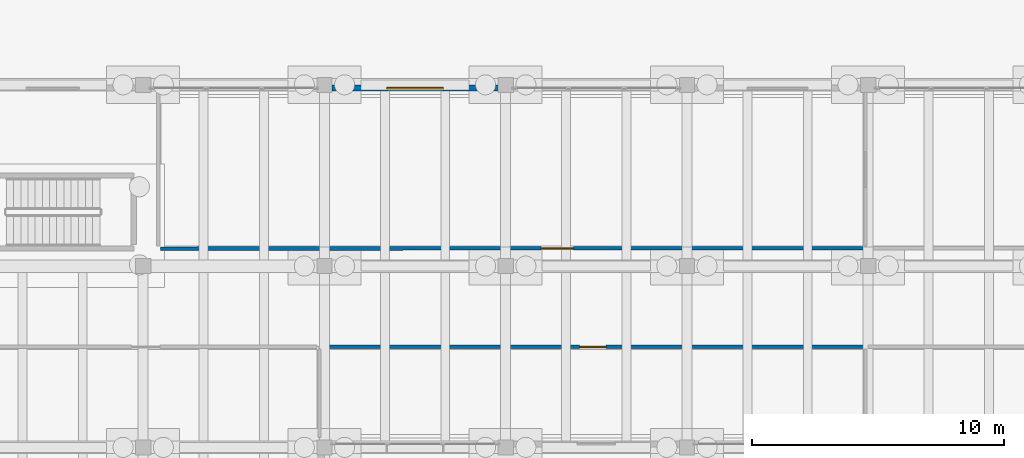
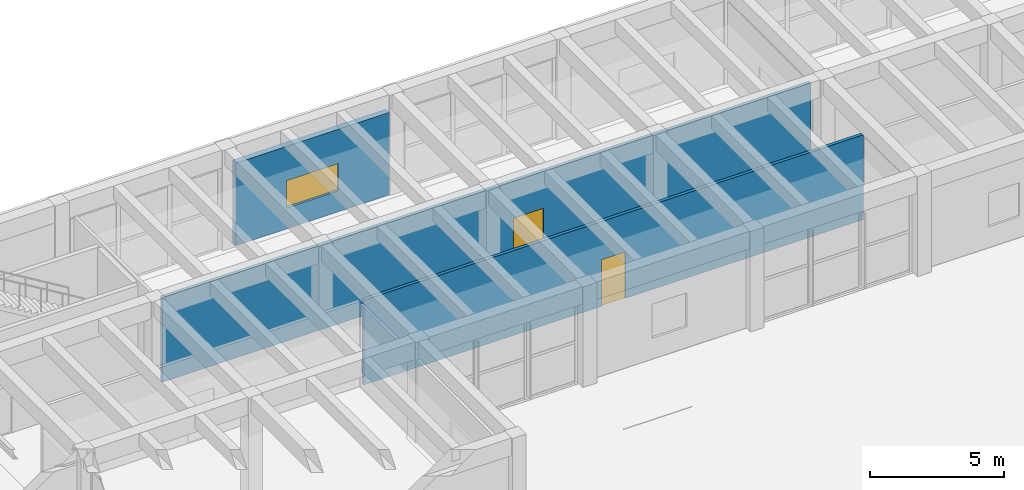
# One storey, part 121 of 155: 3 walls, 2 doors, 1 window, 3 openings.
"""IFC4 building model written with IfcOpenShell, lengths in metres."""

import ifcopenshell
import ifcopenshell.guid

model = None  # the IFC model being written
_history = None  # IfcOwnerHistory: only IFC2X3 demands one
_inside = {}  # id of a spatial element -> (the spatial element, [elements in it])
_under = {}  # id of a project, library or spatial element -> (it, [spatial elements below it])
_declared = {}  # id of a project -> (the project, [libraries it declares])
_typed = {}  # id of a type object -> (the type object, [elements of that type])
_made_of = {}  # id of a material, layer set ... -> (it, [elements and type objects made of it])


def new_model(schema):
    """Start an empty IFC model of exactly this schema.

    Asked for "IFC4X3", IfcOpenShell would pick the latest addendum, in which some entities
    have other attributes; the version numbers below select the first issue.
    IFC2X3 requires an IfcOwnerHistory on every rooted entity: one is made here for all.
    """
    global model, _history
    if schema == "IFC4X3":
        model = ifcopenshell.file(schema_version=(4, 3, 0, 0))
    else:
        model = ifcopenshell.file(schema=schema)
    _inside.clear()
    _under.clear()
    _declared.clear()
    _typed.clear()
    _made_of.clear()
    _history = None
    if model.schema == "IFC2X3":
        org = make("IfcOrganization", Name="unknown")
        user = make(
            "IfcPersonAndOrganization",
            ThePerson=make("IfcPerson", FamilyName="unknown"),
            TheOrganization=org,
        )
        app = make(
            "IfcApplication",
            ApplicationDeveloper=org,
            Version="unknown",
            ApplicationFullName="unknown",
            ApplicationIdentifier="unknown",
        )
        _history = make(
            "IfcOwnerHistory",
            OwningUser=user,
            OwningApplication=app,
            ChangeAction="ADDED",
            CreationDate=0,
        )
    return model


def make(cls, **values):
    """One entity of the class cls with the attributes given. An attribute that is None is left unset."""
    return model.create_entity(
        cls, **{name: value for name, value in values.items() if value is not None}
    )


def rooted(cls, **values):
    """An entity with a GlobalId (a new one), such as an element, a storey or a relation."""
    return make(cls, GlobalId=ifcopenshell.guid.new(), OwnerHistory=_history, **values)


def si_unit(unit_type, name, prefix=None):
    """IfcSIUnit, for example si_unit("LENGTHUNIT", "METRE", prefix="MILLI")."""
    return make("IfcSIUnit", UnitType=unit_type, Prefix=prefix, Name=name)


def assignment(units):
    """IfcUnitAssignment: the units of a project."""
    return None if units is None else make("IfcUnitAssignment", Units=units)


def point(xyz):
    """IfcCartesianPoint."""
    return None if xyz is None else make("IfcCartesianPoint", Coordinates=xyz)


def direction(xyz):
    """IfcDirection."""
    return None if xyz is None else make("IfcDirection", DirectionRatios=xyz)


def frame(location, z_axis=None, x_axis=None):
    """IfcAxis2Placement3D, a coordinate frame: its origin and axes. An axis left out is left unset."""
    return make(
        "IfcAxis2Placement3D",
        Location=point(location),
        Axis=direction(z_axis),
        RefDirection=direction(x_axis),
    )


def frame_2d(location, x_axis=None):
    """IfcAxis2Placement2D, a coordinate frame in the plane: its origin and x axis."""
    return make(
        "IfcAxis2Placement2D", Location=point(location), RefDirection=direction(x_axis)
    )


def origin():
    """The frame at (0, 0, 0) with its axes left unset."""
    return frame((0.0, 0.0, 0.0))


def place(relative_to, where):
    """IfcLocalPlacement: puts the frame where relative to a parent placement (None: the world)."""
    return make(
        "IfcLocalPlacement", PlacementRelTo=relative_to, RelativePlacement=where
    )


def context(
    kind, dimensions, precision=None, world=None, true_north=None, identifier=None
):
    """IfcGeometricRepresentationContext, for example the 3D "Model" context."""
    return make(
        "IfcGeometricRepresentationContext",
        ContextIdentifier=identifier,
        ContextType=kind,
        CoordinateSpaceDimension=dimensions,
        Precision=precision,
        WorldCoordinateSystem=world,
        TrueNorth=true_north,
    )


def subcontext(parent, identifier, kind, view, scale=None):
    """IfcGeometricRepresentationSubContext, for example "Body" below "Model"."""
    return make(
        "IfcGeometricRepresentationSubContext",
        ContextIdentifier=identifier,
        ContextType=kind,
        ParentContext=parent,
        TargetScale=scale,
        TargetView=view,
    )


def project(units=None, contexts=None):
    """IfcProject with its units and contexts."""
    return rooted(
        "IfcProject",
        Name="project",
        RepresentationContexts=contexts,
        UnitsInContext=assignment(units),
    )


def spatial(cls, under=None, at=None, **own):
    """A site, building, storey or space (cls), placed at a placement, below another one or the project."""
    s = rooted(cls, ObjectPlacement=at, **own)
    if under is not None:
        _under.setdefault(under.id(), (under, []))[1].append(s)
    return s


def profile(cls, at=None, kind="AREA", **sizes):
    """A parametric profile (cls). Its sizes go by their IFC names, for example OverallWidth=200.0."""
    return make(cls, ProfileType=kind, Position=at, **sizes)


def rectangle(**sizes):
    """IfcRectangleProfileDef."""
    return profile("IfcRectangleProfileDef", **sizes)


def extrude(swept, where, along, depth):
    """IfcExtrudedAreaSolid: the profile swept, set in the frame where, extruded along a direction by depth."""
    return make(
        "IfcExtrudedAreaSolid",
        SweptArea=swept,
        Position=where,
        ExtrudedDirection=direction(along),
        Depth=depth,
    )


def shape(context_of_items, identifier, shape_type, items):
    """IfcShapeRepresentation: the items that make up one representation, for example the "Body"."""
    return make(
        "IfcShapeRepresentation",
        ContextOfItems=context_of_items,
        RepresentationIdentifier=identifier,
        RepresentationType=shape_type,
        Items=items,
    )


def material(Name=None, Category=None):
    """IfcMaterial."""
    return make("IfcMaterial", Name=Name, Category=Category)


def layer(
    of_material, thickness, ventilated=None, Name=None, Category=None, Priority=None
):
    """IfcMaterialLayer: one layer of a wall or slab, of a material (None: an air gap)."""
    return make(
        "IfcMaterialLayer",
        Material=of_material,
        LayerThickness=thickness,
        IsVentilated=ventilated,
        Name=Name,
        Category=Category,
        Priority=Priority,
    )


def layer_set(layers, Name=None):
    """IfcMaterialLayerSet."""
    return make("IfcMaterialLayerSet", MaterialLayers=layers, LayerSetName=Name)


def made_of(thing, what):
    """Note that an element or type object is made of a material, layer set ...; save() writes the relation."""
    if what is not None:
        _made_of.setdefault(what.id(), (what, []))[1].append(thing)
    return thing


def type_object(cls, material=None, **own):
    """A type object (cls), such as IfcWallType, which elements share."""
    return made_of(rooted(cls, **own), material)


def element(
    cls,
    number,
    at=None,
    inside=None,
    cuts=None,
    type_object=None,
    material=None,
    context=None,
    identifier="Body",
    shape_type=None,
    held_by="IfcProductDefinitionShape",
    body=None,
    shapes=None,
    **own,
):
    """One element of the class cls, such as IfcWall. Its Tag is "e" and its number.

    at: its placement. inside: the storey or other place that contains it. cuts: it is an
    opening in that element (IfcRelVoidsElement). A single representation is given by context,
    identifier, shape_type and body (its items); several are given by shapes. held_by: the class
    of the entity that holds the representations. save() writes the other relations.
    """
    e = rooted(cls, Tag="e%d" % number, ObjectPlacement=at, **own)
    if body is not None:
        shapes = [shape(context, identifier, shape_type, body)]
    if shapes is not None:
        e.Representation = make(held_by, Representations=shapes)
    if inside is not None:
        _inside.setdefault(inside.id(), (inside, []))[1].append(e)
    if cuts is not None:
        rooted(
            "IfcRelVoidsElement", RelatingBuildingElement=cuts, RelatedOpeningElement=e
        )
    if type_object is not None:
        _typed.setdefault(type_object.id(), (type_object, []))[1].append(e)
    return made_of(e, material)


def fill(opening, filler):
    """IfcRelFillsElement: the door or window that sits in an opening."""
    return rooted(
        "IfcRelFillsElement",
        RelatingOpeningElement=opening,
        RelatedBuildingElement=filler,
    )


def aggregate(whole, parts):
    """IfcRelAggregates: a whole, such as a stair, and the parts it consists of."""
    return rooted("IfcRelAggregates", RelatingObject=whole, RelatedObjects=parts)


def save(model, path):
    """Write the relations noted so far, then the file.

    IfcRelAggregates (storeys below a building ...), IfcRelContainedInSpatialStructure (elements
    in a storey), IfcRelDefinesByType, IfcRelAssociatesMaterial and IfcRelDeclares: one each for
    every whole, place, type object, material and project.
    """
    for whole, parts in _under.values():
        aggregate(whole, parts)
    for where, things in _inside.values():
        rooted(
            "IfcRelContainedInSpatialStructure",
            RelatedElements=things,
            RelatingStructure=where,
        )
    for kind, things in _typed.values():
        rooted("IfcRelDefinesByType", RelatedObjects=things, RelatingType=kind)
    for what, things in _made_of.values():
        rooted("IfcRelAssociatesMaterial", RelatedObjects=things, RelatingMaterial=what)
    for by, libraries in _declared.values():
        rooted("IfcRelDeclares", RelatingContext=by, RelatedDefinitions=libraries)
    model.write(path)


model = new_model("IFC4")

# Units and contexts
model_context = context("Model", 3, precision=1e-05, world=origin(), true_north=direction((0.0, 1.0)))
body_context = subcontext(model_context, "Body", "Model", "MODEL_VIEW")
ifc_project = project(units=[si_unit("LENGTHUNIT", "METRE"), si_unit("AREAUNIT", "SQUARE_METRE"), si_unit("VOLUMEUNIT", "CUBIC_METRE"), si_unit("PLANEANGLEUNIT", "RADIAN"), si_unit("MASSUNIT", "GRAM", prefix="KILO")], contexts=[model_context])

# Site, building, storey
site_placement = place(None, origin())
site = spatial("IfcSite", under=ifc_project, at=site_placement, CompositionType="ELEMENT")
building_placement = place(site_placement, origin())
building = spatial("IfcBuilding", under=site, at=building_placement, Name="Bramvelor Terrace Health Centre", CompositionType="ELEMENT")
storey_placement = place(building_placement, origin())
storey = spatial("IfcBuildingStorey", under=building, at=storey_placement, Name="L01", CompositionType="ELEMENT", Elevation=0.0)

# Wall, opening, door
ifc_material_1 = material(Name="Fire-rated gypsum and mineral wool", Category="gypsum")
ifc_layer_1 = layer(ifc_material_1, 0.139892578125)
ifc_layer_set_1 = layer_set([ifc_layer_1], Name="Fire-rated gypsum and mineral wool")
wall_type_1 = type_object("IfcWallType", Name="WL-COR-140", PredefinedType="PARTITIONING", material=ifc_layer_set_1)
wall_1_placement = place(storey_placement, frame((115.10009765625, 54.389892578125, 0.0), z_axis=(0.0, 0.0, 1.0), x_axis=(1.0, 0.0, 0.0)))
wall_1 = element("IfcWall", 1, at=wall_1_placement, inside=storey, type_object=wall_type_1, Name="L01 Interior Partition 94", PredefinedType="PARTITIONING", context=body_context, shape_type="SweptSolid", body=[
    extrude(rectangle(XDim=21.510009765625, YDim=0.139892578125, at=frame_2d((10.7548828125, 0.0))), origin(), (0.0, 0.0, 1.0), 3.860107421875),
])
opening_1_placement = place(wall_1_placement, frame((10.235107421875, 0.0, 0.0)))
opening_1 = element("IfcOpeningElement", 2, at=opening_1_placement, cuts=wall_1, Name="Opening FD-07", PredefinedType="OPENING", context=body_context, shape_type="SweptSolid", body=[
    extrude(rectangle(XDim=1.0400390625, YDim=2.1201171875, at=frame_2d((0.52001953125, 1.06005859375))), frame((0.0, 0.079833984375, 0.0), z_axis=(0.0, -1.0, 0.0), x_axis=(1.0, 0.0, 0.0)), (0.0, 0.0, 1.0), 0.159912109375),
])
ifc_material_2 = material(Name="Fire-rated steel and vision panel", Category="steel")
door_type_1 = type_object("IfcDoorType", Name="DR-FD60-104", OperationType="NOTDEFINED", PredefinedType="DOOR", material=ifc_material_2)
door_1_placement = place(opening_1_placement, origin())
door_1 = element("IfcDoor", 3, at=door_1_placement, inside=storey, type_object=door_type_1, Name="L01 Ambulatory Endoscopy Procedure Room 1 Fire Door", OperationType="SINGLE_SWING_RIGHT", OverallHeight=2.1201171875, OverallWidth=1.0400390625, PredefinedType="DOOR", context=body_context, shape_type="SweptSolid", body=[
    extrude(rectangle(XDim=1.0400390625, YDim=2.1201171875, at=frame_2d((0.52001953125, 1.06005859375))), frame((0.0, 0.02490234375, 0.0), z_axis=(0.0, -1.0, 0.0), x_axis=(1.0, 0.0, 0.0)), (0.0, 0.0, 1.0), 0.050048828125),
])
fill(opening_1, door_1)

wall_2_placement = place(storey_placement, frame((136.610107421875, 58.300537109375, 0.0), z_axis=(0.0, 0.0, 1.0), x_axis=(-0.999999994495, -0.000104930876, 0.0)))
wall_2 = element("IfcWall", 4, at=wall_2_placement, inside=storey, type_object=wall_type_1, Name="L01 Interior Partition 99", PredefinedType="PARTITIONING", context=body_context, shape_type="SweptSolid", body=[
    extrude(rectangle(XDim=27.920166015625, YDim=0.139892578125, at=frame_2d((13.9599609375, 0.0))), origin(), (0.0, 0.0, 1.0), 3.860107421875),
])
opening_2_placement = place(wall_2_placement, frame((11.52001953125, 0.0, 0.0)))
opening_2 = element("IfcOpeningElement", 5, at=opening_2_placement, cuts=wall_2, Name="Opening FD-01", PredefinedType="OPENING", context=body_context, shape_type="SweptSolid", body=[
    extrude(rectangle(XDim=1.280029296875, YDim=2.179931640625, at=frame_2d((0.64013671875, 1.08984375))), frame((0.0, 0.079833984375, 0.0), z_axis=(0.0, -1.0, 0.0), x_axis=(1.0, 0.0, 0.0)), (0.0, 0.0, 1.0), 0.159912109375),
])
ifc_material_3 = material(Name="Fire-rated steel and vision panel", Category="steel")
door_type_2 = type_object("IfcDoorType", Name="DR-FD90-128", OperationType="NOTDEFINED", PredefinedType="DOOR", material=ifc_material_3)
door_2_placement = place(opening_2_placement, origin())
door_2 = element("IfcDoor", 6, at=door_2_placement, inside=storey, type_object=door_type_2, Name="L01 Minor Procedures Recovery Ward Fire Door", OperationType="SINGLE_SWING_LEFT", OverallHeight=2.179931640625, OverallWidth=1.280029296875, PredefinedType="DOOR", context=body_context, shape_type="SweptSolid", body=[
    extrude(rectangle(XDim=1.280029296875, YDim=2.179931640625, at=frame_2d((0.64013671875, 1.08984375))), frame((0.0, 0.02490234375, 0.0), z_axis=(0.0, -1.0, 0.0), x_axis=(1.0, 0.0, 0.0)), (0.0, 0.0, 1.0), 0.050048828125),
])
fill(opening_2, door_2)

# Wall, opening, window
ifc_material_4 = material(Name="Precast concrete C40/50", Category="concrete")
ifc_layer_2 = layer(ifc_material_4, 0.25)
ifc_layer_set_2 = layer_set([ifc_layer_2], Name="Precast concrete C40/50")
wall_type_2 = type_object("IfcWallType", Name="WL-EXT-RC250", PredefinedType="SOLIDWALL", material=ifc_layer_set_2)
wall_3_placement = place(storey_placement, frame((115.4951171875, 64.669921875, 0.0), z_axis=(0.0, 0.0, 1.0), x_axis=(1.0, 0.0, 0.0)))
wall_3 = element("IfcWall", 7, at=wall_3_placement, inside=storey, type_object=wall_type_2, Name="L01 Exterior Facade Wall 81", PredefinedType="SOLIDWALL", context=body_context, shape_type="SweptSolid", body=[
    extrude(rectangle(XDim=6.60986328125, YDim=0.25, at=frame_2d((3.304931640625, 0.0))), origin(), (0.0, 0.0, 1.0), 3.760009765625),
])
opening_3_placement = place(wall_3_placement, frame((2.179931640625, 0.0, 0.949951171875)))
opening_3 = element("IfcOpeningElement", 8, at=opening_3_placement, cuts=wall_3, Name="Opening WN-35", PredefinedType="OPENING", context=body_context, shape_type="SweptSolid", body=[
    extrude(rectangle(XDim=2.25, YDim=1.25, at=frame_2d((1.125, 0.625))), frame((0.0, 0.135009765625, 0.0), z_axis=(0.0, -1.0, 0.0), x_axis=(1.0, 0.0, 0.0)), (0.0, 0.0, 1.0), 0.27001953125),
])
ifc_material_5 = material(Name="Double low-E laminated glass", Category="glass")
window_type = type_object("IfcWindowType", Name="WIN-EXT-35", PartitioningType="SINGLE_PANEL", PredefinedType="WINDOW", material=ifc_material_5)
window_placement = place(opening_3_placement, origin())
window = element("IfcWindow", 9, at=window_placement, inside=storey, type_object=window_type, Name="L01 Scheduled Clinical Window 35", OverallHeight=1.25, OverallWidth=2.25, PartitioningType="SINGLE_PANEL", PredefinedType="WINDOW", context=body_context, shape_type="SweptSolid", body=[
    extrude(rectangle(XDim=2.25, YDim=1.25, at=frame_2d((1.125, 0.625))), frame((0.0, 0.030029296875, 0.0), z_axis=(0.0, -1.0, 0.0), x_axis=(1.0, 0.0, 0.0)), (0.0, 0.0, 1.0), 0.06005859375),
])
fill(opening_3, window)

save(model, "model.ifc")
